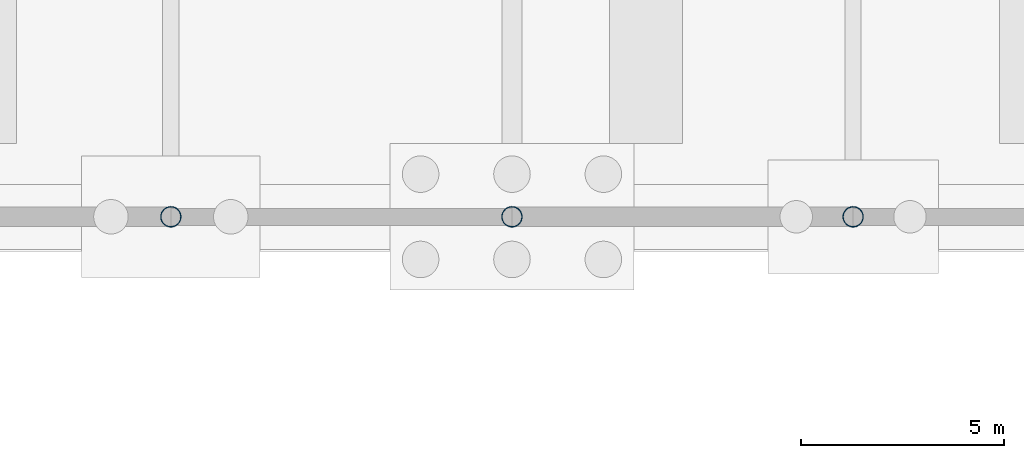
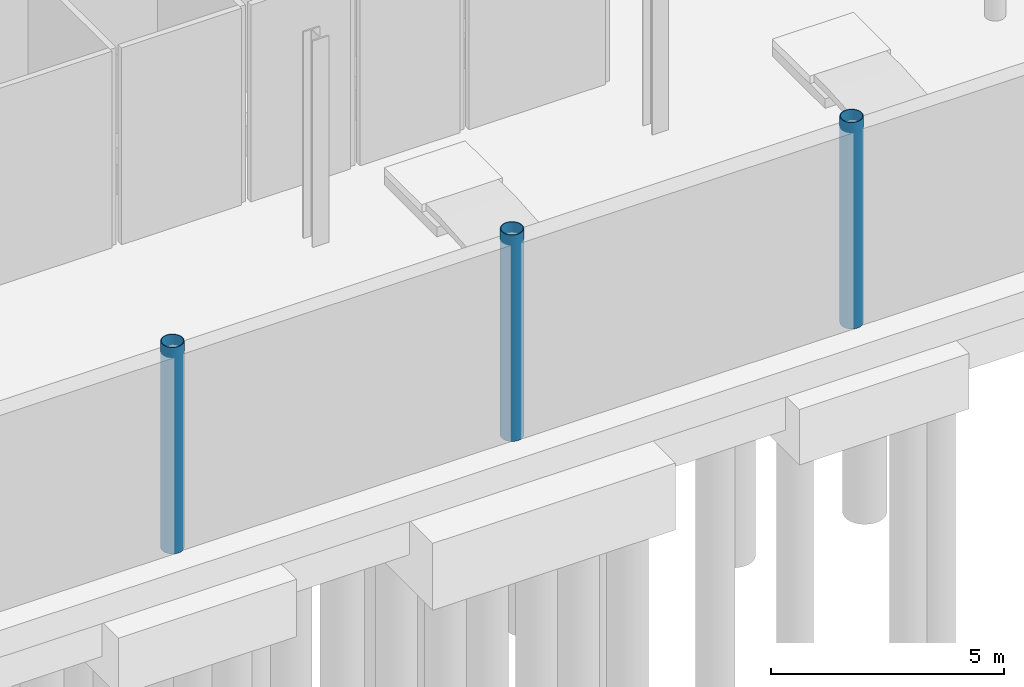
# One storey, part 8 of 49: 3 columns.
"""IFC4 building model written with IfcOpenShell, lengths in metres."""

from ifc_helpers import new_model, si_unit, direction, frame, origin, origin_2d, place, context, subcontext, project, spatial, hollow_circle, extrude, material, material_profile, profile_set, type_object, element, save


model = new_model("IFC4")

# Units and contexts
model_context = context("Model", 3, precision=1e-05, world=origin(), true_north=direction((0.0, 1.0)))
body_context = subcontext(model_context, "Body", "Model", "MODEL_VIEW")
ifc_project = project(units=[si_unit("LENGTHUNIT", "METRE"), si_unit("AREAUNIT", "SQUARE_METRE"), si_unit("VOLUMEUNIT", "CUBIC_METRE"), si_unit("PLANEANGLEUNIT", "RADIAN"), si_unit("MASSUNIT", "GRAM", prefix="KILO"), si_unit("THERMODYNAMICTEMPERATUREUNIT", "KELVIN")], contexts=[model_context])

# Site, building, storey
site_placement = place(None, origin())
site = spatial("IfcSite", under=ifc_project, at=site_placement, CompositionType="ELEMENT")
building_placement = place(site_placement, origin())
building = spatial("IfcBuilding", under=site, at=building_placement, Name="Lustrewick Department Store", CompositionType="ELEMENT")
storey_placement = place(building_placement, frame((0.0, 0.0, -5.39990234375)))
storey = spatial("IfcBuildingStorey", under=building, at=storey_placement, Name="B1", CompositionType="ELEMENT", Elevation=-5.39990234375)

# Columns
ifc_material = material(Name="Structural steel Q355C", Category="steel")
ifc_material_profile = material_profile(ifc_material, hollow_circle(Radius=0.25390625, WallThickness=0.01611328125, at=origin_2d()), Name="CHS 508x16")
ifc_profile_set = profile_set([ifc_material_profile], Name="Structural steel Q355C")
column_type = type_object("IfcColumnType", Name="CE01", PredefinedType="COLUMN", material=ifc_profile_set)
for number, where, z_axis, x_axis, name in (
    (1, (75.60009765625, 25.199951171875, 0.0), (0.0, 0.0, 1.0), (1.0, 0.0, 0.0), "B1 V2 Column CE01"),
    (2, (84.0, 25.199951171875, 0.0), (0.0, 0.0, 1.0), (1.0, 0.0, 0.0), "B1 V2 Column CE01"),
    (3, (92.39990234375, 25.199951171875, 0.0), (0.0, 0.0, 1.0), (1.0, 0.0, 0.0), "B1 V2 Column CE01"),
):
    element("IfcColumn", number, at=place(storey_placement, frame(where, z_axis=z_axis, x_axis=x_axis)), inside=storey, type_object=column_type, Name=name, PredefinedType="COLUMN", context=body_context, shape_type="SweptSolid", body=[
        extrude(hollow_circle(Radius=0.25390625, WallThickness=0.01611328125, at=origin_2d()), origin(), (0.0, 0.0, 1.0), 5.39990234375),
    ])

save(model, "model.ifc")
